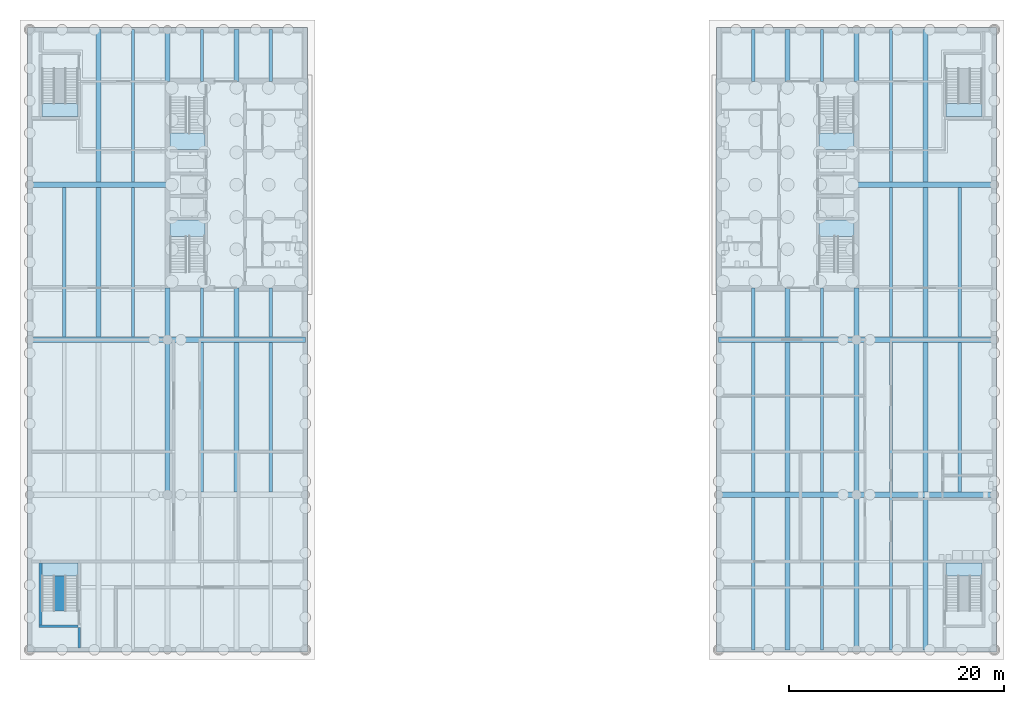
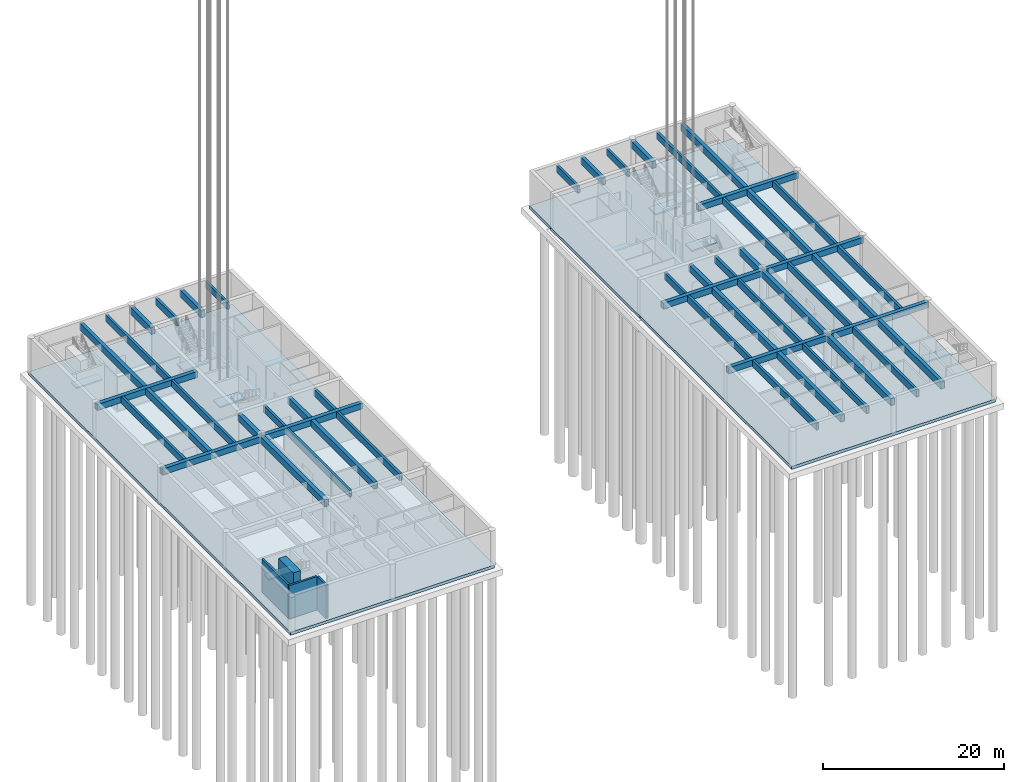
# One storey, part 2 of 24: 51 beams, 10 slabs, 4 walls, 8 elements without a shape of their own.
"""IFC4 building model written with IfcOpenShell, lengths in metres."""

from ifc_helpers import new_model, si_unit, direction, frame, frame_2d, origin, origin_2d, place, context, subcontext, project, spatial, polyline, rectangle, outline, extrude, material, layer, layer_set, material_profile, profile_set, type_object, element, aggregate, save


model = new_model("IFC4")

# Units and contexts
model_context = context("Model", 3, precision=1e-05, world=origin(), true_north=direction((0.0, 1.0)))
body_context = subcontext(model_context, "Body", "Model", "MODEL_VIEW")
ifc_project = project(units=[si_unit("LENGTHUNIT", "METRE"), si_unit("AREAUNIT", "SQUARE_METRE"), si_unit("VOLUMEUNIT", "CUBIC_METRE"), si_unit("PLANEANGLEUNIT", "RADIAN"), si_unit("MASSUNIT", "GRAM", prefix="KILO")], contexts=[model_context])

# Site, building, storey
site_placement = place(None, origin())
site = spatial("IfcSite", under=ifc_project, at=site_placement, CompositionType="ELEMENT")
building_placement = place(site_placement, origin())
building = spatial("IfcBuilding", under=site, at=building_placement, Name="Fogon Plaza Fire Station and Headquarters Tower", CompositionType="ELEMENT")
storey_placement = place(building_placement, frame((0.0, 0.0, -4.800048828125)))
storey = spatial("IfcBuildingStorey", under=building, at=storey_placement, Name="B1", CompositionType="ELEMENT", Elevation=-4.800048828125)

# Beams
ifc_material_1 = material(Name="Concrete C40", Category="concrete")
ifc_material_profile_1 = material_profile(ifc_material_1, rectangle(XDim=0.5, YDim=0.800048828125, at=origin_2d()), Name="RC 500x800")
ifc_profile_set_1 = profile_set([ifc_material_profile_1], Name="Concrete C40")
beam_type_1 = type_object("IfcBeamType", Name="BEAM RC 500x800", PredefinedType="BEAM", material=ifc_profile_set_1)
for number, where, z_axis, x_axis, name in (
    (1, (89.60009765625, 14.39990234375, 4.10009765625), (-1.0, 0.0, 0.0), (0.0, -1.0, 0.0), "beam-B1-002"),
    (2, (76.800048828125, 14.39990234375, 4.10009765625), (-1.0, 0.0, 0.0), (0.0, -1.0, 0.0), "beam-B1-004"),
    (3, (0.0, 28.800048828125, 4.10009765625), (1.0, 0.0, 0.0), (0.0, 1.0, 0.0), "beam-B1-005"),
    (4, (89.60009765625, 28.800048828125, 4.10009765625), (-1.0, 0.0, 0.0), (0.0, -1.0, 0.0), "beam-B1-006"),
    (5, (12.800048828125, 28.800048828125, 4.10009765625), (1.0, 0.0, 0.0), (0.0, 1.0, 0.0), "beam-B1-007"),
    (6, (76.800048828125, 28.800048828125, 4.10009765625), (-1.0, 0.0, 0.0), (0.0, -1.0, 0.0), "beam-B1-008"),
    (7, (0.0, 43.199951171875, 4.10009765625), (1.0, 0.0, 0.0), (0.0, 1.0, 0.0), "beam-B1-009"),
    (8, (89.60009765625, 43.199951171875, 4.10009765625), (-1.0, 0.0, 0.0), (0.0, -1.0, 0.0), "beam-B1-010"),
):
    element("IfcBeam", number, at=place(storey_placement, frame(where, z_axis=z_axis, x_axis=x_axis)), inside=storey, type_object=beam_type_1, Name=name, PredefinedType="BEAM", context=body_context, shape_type="SweptSolid", body=[
        extrude(rectangle(XDim=0.5, YDim=0.800048828125, at=origin_2d()), origin(), (0.0, 0.0, 1.0), 12.800048828125),
    ])
ifc_material_2 = material(Name="Concrete C40", Category="concrete")
ifc_material_profile_2 = material_profile(ifc_material_2, rectangle(XDim=0.5, YDim=0.89990234375, at=origin_2d()), Name="RC 500x900")
ifc_profile_set_2 = profile_set([ifc_material_profile_2], Name="Concrete C40")
beam_type_2 = type_object("IfcBeamType", Name="BEAM RC 500x900", PredefinedType="BEAM", material=ifc_profile_set_2)
beam_1_placement = place(storey_placement, frame((76.800048828125, 0.0, 4.050048828125), z_axis=(0.0, 1.0, 0.0), x_axis=(-1.0, 0.0, 0.0)))
element("IfcBeam", 9, at=beam_1_placement, inside=storey, type_object=beam_type_2, Name="beam-B1-012", PredefinedType="BEAM", context=body_context, shape_type="SweptSolid", body=[
    extrude(rectangle(XDim=0.5, YDim=0.89990234375, at=origin_2d()), origin(), (0.0, 0.0, 1.0), 14.39990234375),
])
for number, where, z_axis, x_axis, name in (
    (10, (12.800048828125, 14.39990234375, 4.050048828125), (0.0, 1.0, 0.0), (-1.0, 0.0, 0.0), "beam-B1-013"),
    (11, (76.800048828125, 14.39990234375, 4.050048828125), (0.0, 1.0, 0.0), (-1.0, 0.0, 0.0), "beam-B1-014"),
):
    element("IfcBeam", number, at=place(storey_placement, frame(where, z_axis=z_axis, x_axis=x_axis)), inside=storey, type_object=beam_type_2, Name=name, PredefinedType="BEAM", context=body_context, shape_type="SweptSolid", body=[
        extrude(rectangle(XDim=0.5, YDim=0.89990234375, at=origin_2d()), origin(), (0.0, 0.0, 1.0), 14.400146484375),
    ])
ifc_material_3 = material(Name="Concrete C40", Category="concrete")
ifc_material_profile_3 = material_profile(ifc_material_3, rectangle(XDim=0.5, YDim=0.89990234375, at=origin_2d()), Name="RC 500x900")
ifc_profile_set_3 = profile_set([ifc_material_profile_3], Name="Concrete C40")
beam_type_3 = type_object("IfcBeamType", Name="BEAM RC 500x900 SPAN 3.0 TO 4.8 M", PredefinedType="BEAM", material=ifc_profile_set_3)
for number, where, z_axis, x_axis, name in (
    (12, (12.800048828125, 28.800048828125, 4.050048828125), (0.0, 1.0, 0.0), (-1.0, 0.0, 0.0), "beam-B1-015"),
    (13, (76.800048828125, 28.800048828125, 4.050048828125), (0.0, 1.0, 0.0), (-1.0, 0.0, 0.0), "beam-B1-016"),
    (14, (12.800048828125, 52.800048828125, 4.050048828125), (0.0, 1.0, 0.0), (-1.0, 0.0, 0.0), "beam-B1-017"),
    (15, (76.800048828125, 52.800048828125, 4.050048828125), (0.0, 1.0, 0.0), (-1.0, 0.0, 0.0), "beam-B1-018"),
):
    element("IfcBeam", number, at=place(storey_placement, frame(where, z_axis=z_axis, x_axis=x_axis)), inside=storey, type_object=beam_type_3, Name=name, PredefinedType="BEAM", context=body_context, shape_type="SweptSolid", body=[
        extrude(rectangle(XDim=0.5, YDim=0.89990234375, at=origin_2d()), origin(), (0.0, 0.0, 1.0), 4.800048828125),
    ])
ifc_material_4 = material(Name="Concrete C40", Category="concrete")
ifc_material_profile_4 = material_profile(ifc_material_4, rectangle(XDim=0.300048828125, YDim=0.89990234375, at=origin_2d()), Name="RC 300x900")
ifc_profile_set_4 = profile_set([ifc_material_profile_4], Name="Concrete C40")
beam_type_4 = type_object("IfcBeamType", Name="JOIST RC 300x900", PredefinedType="JOIST", material=ifc_profile_set_4)
beam_2_placement = place(storey_placement, frame((86.39990234375, 14.64990234375, 4.050048828125), z_axis=(0.0, 1.0, 0.0), x_axis=(-1.0, 0.0, 0.0)))
element("IfcBeam", 16, at=beam_2_placement, inside=storey, type_object=beam_type_4, Name="beam-B1-036", PredefinedType="JOIST", context=body_context, shape_type="SweptSolid", body=[
    extrude(rectangle(XDim=0.300048828125, YDim=0.89990234375, at=origin_2d()), origin(), (0.0, 0.0, 1.0), 13.900146484375),
])
for number, where, z_axis, x_axis, name in (
    (17, (3.199951171875, 29.050048828125, 4.050048828125), (0.0, 1.0, 0.0), (-1.0, 0.0, 0.0), "beam-B1-037"),
    (18, (86.39990234375, 29.050048828125, 4.050048828125), (0.0, 1.0, 0.0), (-1.0, 0.0, 0.0), "beam-B1-038"),
):
    element("IfcBeam", number, at=place(storey_placement, frame(where, z_axis=z_axis, x_axis=x_axis)), inside=storey, type_object=beam_type_4, Name=name, PredefinedType="JOIST", context=body_context, shape_type="SweptSolid", body=[
        extrude(rectangle(XDim=0.300048828125, YDim=0.89990234375, at=origin_2d()), origin(), (0.0, 0.0, 1.0), 13.89990234375),
    ])
beam_3_placement = place(storey_placement, frame((80.0, 0.0, 4.050048828125), z_axis=(0.0, 1.0, 0.0), x_axis=(-1.0, 0.0, 0.0)))
element("IfcBeam", 19, at=beam_3_placement, inside=storey, type_object=beam_type_4, Name="beam-B1-040", PredefinedType="JOIST", context=body_context, shape_type="SweptSolid", body=[
    extrude(rectangle(XDim=0.300048828125, YDim=0.89990234375, at=origin_2d()), origin(), (0.0, 0.0, 1.0), 14.14990234375),
])
beam_4_placement = place(storey_placement, frame((80.0, 14.64990234375, 4.050048828125), z_axis=(0.0, 1.0, 0.0), x_axis=(-1.0, 0.0, 0.0)))
element("IfcBeam", 20, at=beam_4_placement, inside=storey, type_object=beam_type_4, Name="beam-B1-042", PredefinedType="JOIST", context=body_context, shape_type="SweptSolid", body=[
    extrude(rectangle(XDim=0.300048828125, YDim=0.89990234375, at=origin_2d()), origin(), (0.0, 0.0, 1.0), 13.900146484375),
])
for number, where, z_axis, x_axis, name in (
    (21, (9.60009765625, 29.050048828125, 4.050048828125), (0.0, 1.0, 0.0), (-1.0, 0.0, 0.0), "beam-B1-043"),
    (22, (80.0, 29.050048828125, 4.050048828125), (0.0, 1.0, 0.0), (-1.0, 0.0, 0.0), "beam-B1-044"),
):
    element("IfcBeam", number, at=place(storey_placement, frame(where, z_axis=z_axis, x_axis=x_axis)), inside=storey, type_object=beam_type_4, Name=name, PredefinedType="JOIST", context=body_context, shape_type="SweptSolid", body=[
        extrude(rectangle(XDim=0.300048828125, YDim=0.89990234375, at=origin_2d()), origin(), (0.0, 0.0, 1.0), 13.89990234375),
    ])
for number, where, z_axis, x_axis, name in (
    (23, (9.60009765625, 43.449951171875, 4.050048828125), (0.0, 1.0, 0.0), (-1.0, 0.0, 0.0), "beam-B1-045"),
    (24, (80.0, 43.449951171875, 4.050048828125), (0.0, 1.0, 0.0), (-1.0, 0.0, 0.0), "beam-B1-046"),
):
    element("IfcBeam", number, at=place(storey_placement, frame(where, z_axis=z_axis, x_axis=x_axis)), inside=storey, type_object=beam_type_4, Name=name, PredefinedType="JOIST", context=body_context, shape_type="SweptSolid", body=[
        extrude(rectangle(XDim=0.300048828125, YDim=0.89990234375, at=origin_2d()), origin(), (0.0, 0.0, 1.0), 14.150146484375),
    ])
beam_5_placement = place(storey_placement, frame((73.60009765625, 0.0, 4.050048828125), z_axis=(0.0, 1.0, 0.0), x_axis=(-1.0, 0.0, 0.0)))
element("IfcBeam", 25, at=beam_5_placement, inside=storey, type_object=beam_type_4, Name="beam-B1-048", PredefinedType="JOIST", context=body_context, shape_type="SweptSolid", body=[
    extrude(rectangle(XDim=0.300048828125, YDim=0.89990234375, at=origin_2d()), origin(), (0.0, 0.0, 1.0), 14.14990234375),
])
for number, where, z_axis, x_axis, name in (
    (26, (16.0, 14.64990234375, 4.050048828125), (0.0, 1.0, 0.0), (-1.0, 0.0, 0.0), "beam-B1-049"),
    (27, (73.60009765625, 14.64990234375, 4.050048828125), (0.0, 1.0, 0.0), (-1.0, 0.0, 0.0), "beam-B1-050"),
):
    element("IfcBeam", number, at=place(storey_placement, frame(where, z_axis=z_axis, x_axis=x_axis)), inside=storey, type_object=beam_type_4, Name=name, PredefinedType="JOIST", context=body_context, shape_type="SweptSolid", body=[
        extrude(rectangle(XDim=0.300048828125, YDim=0.89990234375, at=origin_2d()), origin(), (0.0, 0.0, 1.0), 13.900146484375),
    ])
beam_6_placement = place(storey_placement, frame((67.199951171875, 0.0, 4.050048828125), z_axis=(0.0, 1.0, 0.0), x_axis=(-1.0, 0.0, 0.0)))
element("IfcBeam", 28, at=beam_6_placement, inside=storey, type_object=beam_type_4, Name="beam-B1-056", PredefinedType="JOIST", context=body_context, shape_type="SweptSolid", body=[
    extrude(rectangle(XDim=0.300048828125, YDim=0.89990234375, at=origin_2d()), origin(), (0.0, 0.0, 1.0), 14.14990234375),
])
for number, where, z_axis, x_axis, name in (
    (29, (22.39990234375, 14.64990234375, 4.050048828125), (0.0, 1.0, 0.0), (-1.0, 0.0, 0.0), "beam-B1-057"),
    (30, (67.199951171875, 14.64990234375, 4.050048828125), (0.0, 1.0, 0.0), (-1.0, 0.0, 0.0), "beam-B1-058"),
):
    element("IfcBeam", number, at=place(storey_placement, frame(where, z_axis=z_axis, x_axis=x_axis)), inside=storey, type_object=beam_type_4, Name=name, PredefinedType="JOIST", context=body_context, shape_type="SweptSolid", body=[
        extrude(rectangle(XDim=0.300048828125, YDim=0.89990234375, at=origin_2d()), origin(), (0.0, 0.0, 1.0), 13.900146484375),
    ])
ifc_material_5 = material(Name="Concrete C40", Category="concrete")
ifc_material_profile_5 = material_profile(ifc_material_5, rectangle(XDim=0.300048828125, YDim=0.89990234375, at=origin_2d()), Name="RC 300x900")
ifc_profile_set_5 = profile_set([ifc_material_profile_5], Name="Concrete C40")
beam_type_5 = type_object("IfcBeamType", Name="JOIST RC 300x900 SPAN 3.0 TO 4.8 M", PredefinedType="JOIST", material=ifc_profile_set_5)
for number, where, z_axis, x_axis, name in (
    (31, (16.0, 29.050048828125, 4.050048828125), (0.0, 1.0, 0.0), (-1.0, 0.0, 0.0), "beam-B1-051"),
    (32, (73.60009765625, 29.050048828125, 4.050048828125), (0.0, 1.0, 0.0), (-1.0, 0.0, 0.0), "beam-B1-052"),
):
    element("IfcBeam", number, at=place(storey_placement, frame(where, z_axis=z_axis, x_axis=x_axis)), inside=storey, type_object=beam_type_5, Name=name, PredefinedType="JOIST", context=body_context, shape_type="SweptSolid", body=[
        extrude(rectangle(XDim=0.300048828125, YDim=0.89990234375, at=origin_2d()), origin(), (0.0, 0.0, 1.0), 4.550048828125),
    ])
for number, where, z_axis, x_axis, name in (
    (33, (16.0, 52.800048828125, 4.050048828125), (0.0, 1.0, 0.0), (-1.0, 0.0, 0.0), "beam-B1-053"),
    (34, (73.60009765625, 52.800048828125, 4.050048828125), (0.0, 1.0, 0.0), (-1.0, 0.0, 0.0), "beam-B1-054"),
):
    element("IfcBeam", number, at=place(storey_placement, frame(where, z_axis=z_axis, x_axis=x_axis)), inside=storey, type_object=beam_type_5, Name=name, PredefinedType="JOIST", context=body_context, shape_type="SweptSolid", body=[
        extrude(rectangle(XDim=0.300048828125, YDim=0.89990234375, at=origin_2d()), origin(), (0.0, 0.0, 1.0), 4.800048828125),
    ])
for number, where, z_axis, x_axis, name in (
    (35, (22.39990234375, 29.050048828125, 4.050048828125), (0.0, 1.0, 0.0), (-1.0, 0.0, 0.0), "beam-B1-059"),
    (36, (67.199951171875, 29.050048828125, 4.050048828125), (0.0, 1.0, 0.0), (-1.0, 0.0, 0.0), "beam-B1-060"),
):
    element("IfcBeam", number, at=place(storey_placement, frame(where, z_axis=z_axis, x_axis=x_axis)), inside=storey, type_object=beam_type_5, Name=name, PredefinedType="JOIST", context=body_context, shape_type="SweptSolid", body=[
        extrude(rectangle(XDim=0.300048828125, YDim=0.89990234375, at=origin_2d()), origin(), (0.0, 0.0, 1.0), 4.550048828125),
    ])
for number, where, z_axis, x_axis, name in (
    (37, (22.39990234375, 52.800048828125, 4.050048828125), (0.0, 1.0, 0.0), (-1.0, 0.0, 0.0), "beam-B1-061"),
    (38, (67.199951171875, 52.800048828125, 4.050048828125), (0.0, 1.0, 0.0), (-1.0, 0.0, 0.0), "beam-B1-062"),
):
    element("IfcBeam", number, at=place(storey_placement, frame(where, z_axis=z_axis, x_axis=x_axis)), inside=storey, type_object=beam_type_5, Name=name, PredefinedType="JOIST", context=body_context, shape_type="SweptSolid", body=[
        extrude(rectangle(XDim=0.300048828125, YDim=0.89990234375, at=origin_2d()), origin(), (0.0, 0.0, 1.0), 4.800048828125),
    ])
ifc_material_6 = material(Name="Concrete C40", Category="concrete")
ifc_material_profile_6 = material_profile(ifc_material_6, rectangle(XDim=0.449951171875, YDim=0.89990234375, at=origin_2d()), Name="RC 450x900")
ifc_profile_set_6 = profile_set([ifc_material_profile_6], Name="Concrete C40")
beam_type_6 = type_object("IfcBeamType", Name="JOIST RC 450x900", PredefinedType="JOIST", material=ifc_profile_set_6)
beam_7_placement = place(storey_placement, frame((83.199951171875, 0.0, 4.050048828125), z_axis=(0.0, 1.0, 0.0), x_axis=(-1.0, 0.0, 0.0)))
element("IfcBeam", 39, at=beam_7_placement, inside=storey, type_object=beam_type_6, Name="beam-B1-020", PredefinedType="JOIST", context=body_context, shape_type="SweptSolid", body=[
    extrude(rectangle(XDim=0.449951171875, YDim=0.89990234375, at=origin_2d()), origin(), (0.0, 0.0, 1.0), 14.14990234375),
])
beam_8_placement = place(storey_placement, frame((83.199951171875, 14.64990234375, 4.050048828125), z_axis=(0.0, 1.0, 0.0), x_axis=(-1.0, 0.0, 0.0)))
element("IfcBeam", 40, at=beam_8_placement, inside=storey, type_object=beam_type_6, Name="beam-B1-022", PredefinedType="JOIST", context=body_context, shape_type="SweptSolid", body=[
    extrude(rectangle(XDim=0.449951171875, YDim=0.89990234375, at=origin_2d()), origin(), (0.0, 0.0, 1.0), 13.900146484375),
])
for number, where, z_axis, x_axis, name in (
    (41, (6.39990234375, 29.050048828125, 4.050048828125), (0.0, 1.0, 0.0), (-1.0, 0.0, 0.0), "beam-B1-023"),
    (42, (83.199951171875, 29.050048828125, 4.050048828125), (0.0, 1.0, 0.0), (-1.0, 0.0, 0.0), "beam-B1-024"),
):
    element("IfcBeam", number, at=place(storey_placement, frame(where, z_axis=z_axis, x_axis=x_axis)), inside=storey, type_object=beam_type_6, Name=name, PredefinedType="JOIST", context=body_context, shape_type="SweptSolid", body=[
        extrude(rectangle(XDim=0.449951171875, YDim=0.89990234375, at=origin_2d()), origin(), (0.0, 0.0, 1.0), 13.89990234375),
    ])
for number, where, z_axis, x_axis, name in (
    (43, (6.39990234375, 43.449951171875, 4.050048828125), (0.0, 1.0, 0.0), (-1.0, 0.0, 0.0), "beam-B1-025"),
    (44, (83.199951171875, 43.449951171875, 4.050048828125), (0.0, 1.0, 0.0), (-1.0, 0.0, 0.0), "beam-B1-026"),
):
    element("IfcBeam", number, at=place(storey_placement, frame(where, z_axis=z_axis, x_axis=x_axis)), inside=storey, type_object=beam_type_6, Name=name, PredefinedType="JOIST", context=body_context, shape_type="SweptSolid", body=[
        extrude(rectangle(XDim=0.449951171875, YDim=0.89990234375, at=origin_2d()), origin(), (0.0, 0.0, 1.0), 14.150146484375),
    ])
beam_9_placement = place(storey_placement, frame((70.39990234375, 0.0, 4.050048828125), z_axis=(0.0, 1.0, 0.0), x_axis=(-1.0, 0.0, 0.0)))
element("IfcBeam", 45, at=beam_9_placement, inside=storey, type_object=beam_type_6, Name="beam-B1-028", PredefinedType="JOIST", context=body_context, shape_type="SweptSolid", body=[
    extrude(rectangle(XDim=0.449951171875, YDim=0.89990234375, at=origin_2d()), origin(), (0.0, 0.0, 1.0), 14.14990234375),
])
for number, where, z_axis, x_axis, name in (
    (46, (19.199951171875, 14.64990234375, 4.050048828125), (0.0, 1.0, 0.0), (-1.0, 0.0, 0.0), "beam-B1-029"),
    (47, (70.39990234375, 14.64990234375, 4.050048828125), (0.0, 1.0, 0.0), (-1.0, 0.0, 0.0), "beam-B1-030"),
):
    element("IfcBeam", number, at=place(storey_placement, frame(where, z_axis=z_axis, x_axis=x_axis)), inside=storey, type_object=beam_type_6, Name=name, PredefinedType="JOIST", context=body_context, shape_type="SweptSolid", body=[
        extrude(rectangle(XDim=0.449951171875, YDim=0.89990234375, at=origin_2d()), origin(), (0.0, 0.0, 1.0), 13.900146484375),
    ])
ifc_material_7 = material(Name="Concrete C40", Category="concrete")
ifc_material_profile_7 = material_profile(ifc_material_7, rectangle(XDim=0.449951171875, YDim=0.89990234375, at=origin_2d()), Name="RC 450x900")
ifc_profile_set_7 = profile_set([ifc_material_profile_7], Name="Concrete C40")
beam_type_7 = type_object("IfcBeamType", Name="JOIST RC 450x900 SPAN 3.0 TO 4.8 M", PredefinedType="JOIST", material=ifc_profile_set_7)
for number, where, z_axis, x_axis, name in (
    (48, (19.199951171875, 29.050048828125, 4.050048828125), (0.0, 1.0, 0.0), (-1.0, 0.0, 0.0), "beam-B1-031"),
    (49, (70.39990234375, 29.050048828125, 4.050048828125), (0.0, 1.0, 0.0), (-1.0, 0.0, 0.0), "beam-B1-032"),
):
    element("IfcBeam", number, at=place(storey_placement, frame(where, z_axis=z_axis, x_axis=x_axis)), inside=storey, type_object=beam_type_7, Name=name, PredefinedType="JOIST", context=body_context, shape_type="SweptSolid", body=[
        extrude(rectangle(XDim=0.449951171875, YDim=0.89990234375, at=origin_2d()), origin(), (0.0, 0.0, 1.0), 4.550048828125),
    ])
for number, where, z_axis, x_axis, name in (
    (50, (19.199951171875, 52.800048828125, 4.050048828125), (0.0, 1.0, 0.0), (-1.0, 0.0, 0.0), "beam-B1-033"),
    (51, (70.39990234375, 52.800048828125, 4.050048828125), (0.0, 1.0, 0.0), (-1.0, 0.0, 0.0), "beam-B1-034"),
):
    element("IfcBeam", number, at=place(storey_placement, frame(where, z_axis=z_axis, x_axis=x_axis)), inside=storey, type_object=beam_type_7, Name=name, PredefinedType="JOIST", context=body_context, shape_type="SweptSolid", body=[
        extrude(rectangle(XDim=0.449951171875, YDim=0.89990234375, at=origin_2d()), origin(), (0.0, 0.0, 1.0), 4.800048828125),
    ])

# Slabs
ifc_material_8 = material(Name="Concrete C40", Category="concrete")
ifc_layer_1 = layer(ifc_material_8, 0.39990234375)
ifc_layer_set_1 = layer_set([ifc_layer_1], Name="Concrete C40")
slab_type_1 = type_object("IfcSlabType", Name="Base slab 400 S40", PredefinedType="BASESLAB", material=ifc_layer_set_1)
slab_1_placement = place(storey_placement, frame((0.0, 0.0, -0.39990234375)))
element("IfcSlab", 52, at=slab_1_placement, inside=storey, type_object=slab_type_1, Name="slab-B1-W", PredefinedType="BASESLAB", context=body_context, shape_type="SweptSolid", body=[
    extrude(outline(polyline([(25.824951171875, -0.22509765625), (-0.22509765625, -0.22509765625), (-0.22509765625, 57.824951171875), (25.824951171875, 57.824951171875), (25.824951171875, 53.050048828125), (25.85009765625, 53.050048828125), (25.85009765625, 33.35009765625), (25.824951171875, 33.35009765625), (25.824951171875, -0.22509765625)])), origin(), (0.0, 0.0, 1.0), 0.39990234375),
])
slab_2_placement = place(storey_placement, frame((0.0, 0.0, -0.39990234375)))
element("IfcSlab", 53, at=slab_2_placement, inside=storey, type_object=slab_type_1, Name="slab-B1-E", PredefinedType="BASESLAB", context=body_context, shape_type="SweptSolid", body=[
    extrude(outline(polyline([(63.77490234375, -0.22509765625), (89.824951171875, -0.22509765625), (89.824951171875, 57.824951171875), (63.77490234375, 57.824951171875), (63.77490234375, 53.050048828125), (63.75, 53.050048828125), (63.75, 33.35009765625), (63.77490234375, 33.35009765625), (63.77490234375, -0.22509765625)])), origin(), (0.0, 0.0, 1.0), 0.39990234375),
])

# Stair, slab
ifc_material_9 = material(Name="Concrete C40", Category="concrete")
stair_type_1 = type_object("IfcStairType", Name="Exit Stair Two Flights", PredefinedType="TWO_STRAIGHT_RUN_STAIR", material=ifc_material_9)
stair_1_placement = place(storey_placement, origin())
stair_1 = element("IfcStair", 54, at=stair_1_placement, inside=storey, type_object=stair_type_1, Name="Stair ST1", PredefinedType="TWO_STRAIGHT_RUN_STAIR")
ifc_material_10 = material(Name="Concrete C40", Category="concrete")
ifc_layer_2 = layer(ifc_material_10, 0.300048828125)
ifc_layer_set_2 = layer_set([ifc_layer_2], Name="Concrete C40")
slab_type_2 = type_object("IfcSlabType", Name="Stair Landing RC 300", PredefinedType="LANDING", material=ifc_layer_set_2)
slab_3_placement = place(storey_placement, frame((0.0, 0.0, 2.199951171875)))
slab_3 = element("IfcSlab", 55, at=slab_3_placement, type_object=slab_type_2, Name="ST1 landing L01", PredefinedType="LANDING", context=body_context, shape_type="SweptSolid", body=[
    extrude(outline(polyline([(16.27490234375, 38.375), (16.27490234375, 39.925048828125), (13.050048828125, 39.925048828125), (13.050048828125, 38.375), (16.27490234375, 38.375)])), origin(), (0.0, 0.0, 1.0), 0.2001953125),
])
aggregate(stair_1, [slab_3])

stair_2_placement = place(storey_placement, origin())
stair_2 = element("IfcStair", 56, at=stair_2_placement, inside=storey, type_object=stair_type_1, Name="Stair ST2", PredefinedType="TWO_STRAIGHT_RUN_STAIR")
slab_4_placement = place(storey_placement, frame((0.0, 0.0, 2.199951171875)))
slab_4 = element("IfcSlab", 57, at=slab_4_placement, type_object=slab_type_2, Name="ST2 landing L01", PredefinedType="LANDING", context=body_context, shape_type="SweptSolid", body=[
    extrude(outline(polyline([(16.27490234375, 46.47509765625), (16.27490234375, 48.02490234375), (13.050048828125, 48.02490234375), (13.050048828125, 46.47509765625), (16.27490234375, 46.47509765625)])), origin(), (0.0, 0.0, 1.0), 0.2001953125),
])
aggregate(stair_2, [slab_4])

stair_3_placement = place(storey_placement, origin())
stair_3 = element("IfcStair", 58, at=stair_3_placement, inside=storey, type_object=stair_type_1, Name="Stair ST3", PredefinedType="TWO_STRAIGHT_RUN_STAIR")
slab_5_placement = place(storey_placement, frame((0.0, 0.0, 2.199951171875)))
slab_5 = element("IfcSlab", 59, at=slab_5_placement, type_object=slab_type_2, Name="ST3 landing L01", PredefinedType="LANDING", context=body_context, shape_type="SweptSolid", body=[
    extrude(outline(polyline([(73.324951171875, 38.375), (76.550048828125, 38.375), (76.550048828125, 39.925048828125), (73.324951171875, 39.925048828125), (73.324951171875, 38.375)])), origin(), (0.0, 0.0, 1.0), 0.2001953125),
])
aggregate(stair_3, [slab_5])

stair_4_placement = place(storey_placement, origin())
stair_4 = element("IfcStair", 60, at=stair_4_placement, inside=storey, type_object=stair_type_1, Name="Stair ST4", PredefinedType="TWO_STRAIGHT_RUN_STAIR")
slab_6_placement = place(storey_placement, frame((0.0, 0.0, 2.199951171875)))
slab_6 = element("IfcSlab", 61, at=slab_6_placement, type_object=slab_type_2, Name="ST4 landing L01", PredefinedType="LANDING", context=body_context, shape_type="SweptSolid", body=[
    extrude(outline(polyline([(73.324951171875, 46.47509765625), (76.550048828125, 46.47509765625), (76.550048828125, 48.02490234375), (73.324951171875, 48.02490234375), (73.324951171875, 46.47509765625)])), origin(), (0.0, 0.0, 1.0), 0.2001953125),
])
aggregate(stair_4, [slab_6])

ifc_material_11 = material(Name="Concrete C40", Category="concrete")
stair_type_2 = type_object("IfcStairType", Name="Wing Stair 1200", PredefinedType="HALF_TURN_STAIR", material=ifc_material_11)
stair_5_placement = place(storey_placement, origin())
stair_5 = element("IfcStair", 62, at=stair_5_placement, inside=storey, type_object=stair_type_2, Name="ST5", PredefinedType="HALF_TURN_STAIR")
ifc_material_12 = material(Name="Concrete C40", Category="concrete")
ifc_layer_3 = layer(ifc_material_12, 0.199951171875)
ifc_layer_set_3 = layer_set([ifc_layer_3], Name="Concrete C40")
slab_type_3 = type_object("IfcSlabType", Name="Wing Stair Landing 200", PredefinedType="LANDING", material=ifc_layer_set_3)
slab_7_placement = place(storey_placement, frame((0.0, 0.0, 2.199951171875)))
slab_7 = element("IfcSlab", 63, at=slab_7_placement, type_object=slab_type_3, Name="ST5 landing 1", PredefinedType="LANDING", context=body_context, shape_type="SweptSolid", body=[
    extrude(outline(polyline([(1.125, 49.52490234375), (4.47509765625, 49.52490234375), (4.47509765625, 50.72509765625), (1.125, 50.72509765625), (1.125, 49.52490234375)])), origin(), (0.0, 0.0, 1.0), 0.2001953125),
])
aggregate(stair_5, [slab_7])

stair_6_placement = place(storey_placement, origin())
stair_6 = element("IfcStair", 64, at=stair_6_placement, inside=storey, type_object=stair_type_2, Name="ST6", PredefinedType="HALF_TURN_STAIR")
slab_8_placement = place(storey_placement, frame((0.0, 0.0, 2.199951171875)))
slab_8 = element("IfcSlab", 65, at=slab_8_placement, type_object=slab_type_3, Name="ST6 landing 1", PredefinedType="LANDING", context=body_context, shape_type="SweptSolid", body=[
    extrude(outline(polyline([(1.125, 6.875), (4.47509765625, 6.875), (4.47509765625, 8.074951171875), (1.125, 8.074951171875), (1.125, 6.875)])), origin(), (0.0, 0.0, 1.0), 0.2001953125),
])
aggregate(stair_6, [slab_8])

stair_7_placement = place(storey_placement, origin())
stair_7 = element("IfcStair", 66, at=stair_7_placement, inside=storey, type_object=stair_type_2, Name="ST7", PredefinedType="HALF_TURN_STAIR")
slab_9_placement = place(storey_placement, frame((0.0, 0.0, 2.199951171875)))
slab_9 = element("IfcSlab", 67, at=slab_9_placement, type_object=slab_type_3, Name="ST7 landing 1", PredefinedType="LANDING", context=body_context, shape_type="SweptSolid", body=[
    extrude(outline(polyline([(85.125, 49.52490234375), (88.47509765625, 49.52490234375), (88.47509765625, 50.72509765625), (85.125, 50.72509765625), (85.125, 49.52490234375)])), origin(), (0.0, 0.0, 1.0), 0.2001953125),
])
aggregate(stair_7, [slab_9])

stair_8_placement = place(storey_placement, origin())
stair_8 = element("IfcStair", 68, at=stair_8_placement, inside=storey, type_object=stair_type_2, Name="ST8", PredefinedType="HALF_TURN_STAIR")
slab_10_placement = place(storey_placement, frame((0.0, 0.0, 2.199951171875)))
slab_10 = element("IfcSlab", 69, at=slab_10_placement, type_object=slab_type_3, Name="ST8 landing 1", PredefinedType="LANDING", context=body_context, shape_type="SweptSolid", body=[
    extrude(outline(polyline([(85.125, 6.875), (88.47509765625, 6.875), (88.47509765625, 8.074951171875), (85.125, 8.074951171875), (85.125, 6.875)])), origin(), (0.0, 0.0, 1.0), 0.2001953125),
])
aggregate(stair_8, [slab_10])

# Walls
ifc_material_13 = material(Name="Concrete C40", Category="concrete")
ifc_layer_4 = layer(ifc_material_13, 0.949951171875)
ifc_layer_set_4 = layer_set([ifc_layer_4], Name="Concrete C40")
wall_type_1 = type_object("IfcWallType", Name="Stair Newel Wall RC 950", PredefinedType="SHEAR", material=ifc_layer_set_4)
wall_1_placement = place(storey_placement, frame((2.800048828125, 3.625, 0.0), z_axis=(0.0, 0.0, 1.0), x_axis=(0.0, 1.0, 0.0)))
element("IfcWall", 70, at=wall_1_placement, inside=storey, type_object=wall_type_1, Name="wall-newel-ST6-B1", PredefinedType="SHEAR", context=body_context, shape_type="SweptSolid", body=[
    extrude(rectangle(XDim=3.25, YDim=0.949951171875, at=frame_2d((1.625, 0.0))), origin(), (0.0, 0.0, 1.0), 4.800048828125),
])
ifc_material_14 = material(Name="Concrete C40", Category="concrete")
ifc_layer_5 = layer(ifc_material_14, 0.25)
ifc_layer_set_5 = layer_set([ifc_layer_5], Name="Concrete C40")
wall_type_2 = type_object("IfcWallType", Name="Stair Shaft Wall RC 250", PredefinedType="SHEAR", material=ifc_layer_set_5)
wall_2_placement = place(storey_placement, frame((0.875, 2.199951171875, 0.0), z_axis=(0.0, 0.0, 1.0), x_axis=(1.0, 0.0, 0.0)))
element("IfcWall", 71, at=wall_2_placement, inside=storey, type_object=wall_type_2, Name="wall-B1-W-001", PredefinedType="SHEAR", context=body_context, shape_type="SweptSolid", body=[
    extrude(rectangle(XDim=3.60009765625, YDim=0.25, at=frame_2d((1.800048828125, 0.0))), origin(), (0.0, 0.0, 1.0), 4.5),
])
wall_3_placement = place(storey_placement, frame((1.0, 2.324951171875, 0.0), z_axis=(0.0, 0.0, 1.0), x_axis=(0.0, 1.0, 0.0)))
element("IfcWall", 72, at=wall_3_placement, inside=storey, type_object=wall_type_2, Name="wall-B1-W-019", PredefinedType="SHEAR", context=body_context, shape_type="SweptSolid", body=[
    extrude(rectangle(XDim=5.75, YDim=0.25, at=frame_2d((2.875, 0.0))), origin(), (0.0, 0.0, 1.0), 4.5),
])
ifc_material_15 = material(Name="Concrete Block Fire Wall", Category="concrete")
ifc_layer_6 = layer(ifc_material_15, 0.25)
ifc_layer_set_6 = layer_set([ifc_layer_6], Name="Concrete Block Fire Wall")
wall_type_3 = type_object("IfcWallType", Name="Stair and Shaft Wall EI 120", PredefinedType="PARTITIONING", material=ifc_layer_set_6)
wall_4_placement = place(storey_placement, frame((4.60009765625, 0.14990234375, 0.0), z_axis=(0.0, 0.0, 1.0), x_axis=(0.0, 1.0, 0.0)))
element("IfcWall", 73, at=wall_4_placement, inside=storey, type_object=wall_type_3, Name="wall-B1-W-022", PredefinedType="PARTITIONING", context=body_context, shape_type="SweptSolid", body=[
    extrude(rectangle(XDim=1.925048828125, YDim=0.25, at=frame_2d((0.96240234375, 0.0))), origin(), (0.0, 0.0, 1.0), 4.5),
])

save(model, "model.ifc")
